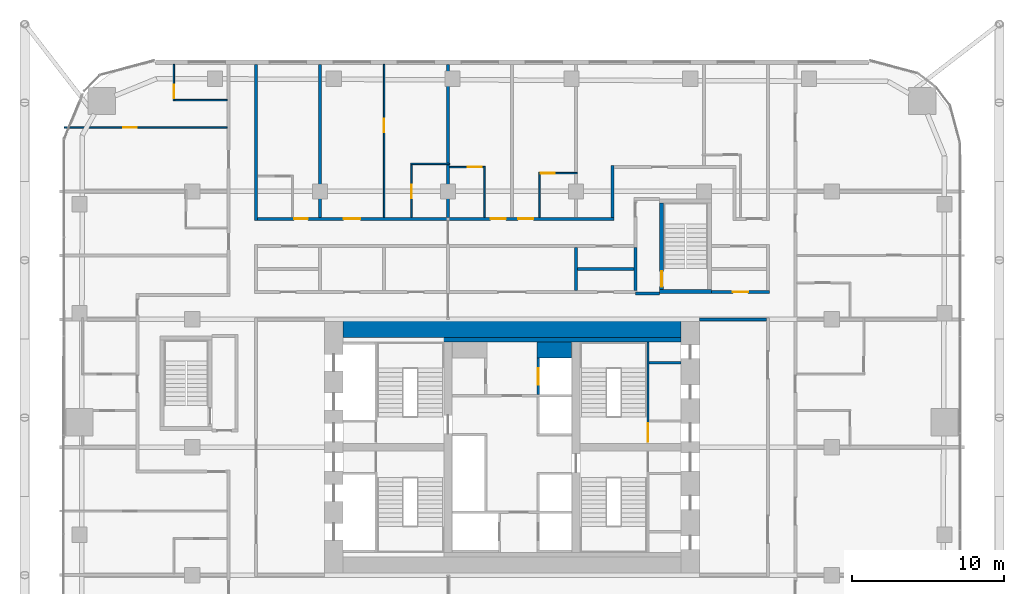
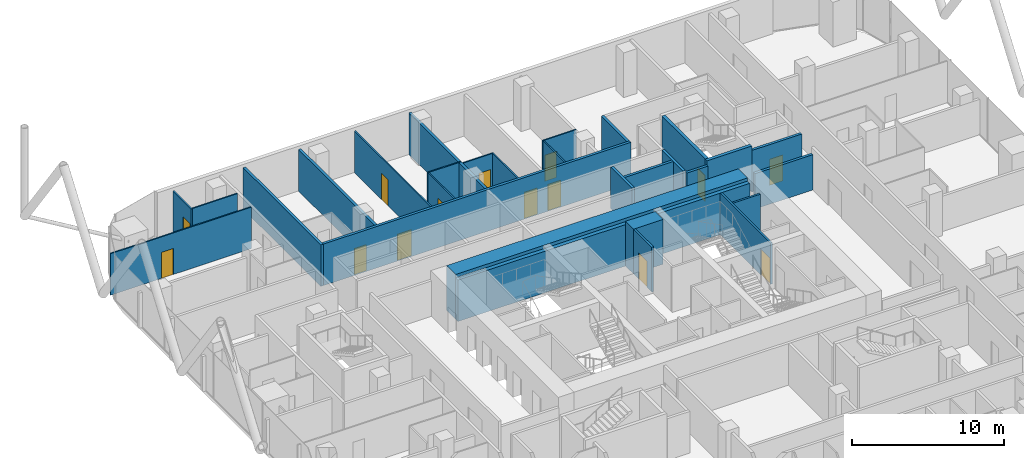
# One storey, part 30 of 34: 29 walls, 14 doors, 14 openings.
"""IFC4 building model written with IfcOpenShell, lengths in metres."""

from ifc_helpers import new_model, si_unit, direction, frame, frame_2d, origin, place, context, subcontext, project, spatial, rectangle, extrude, material, layer, layer_set, type_object, element, fill, save


model = new_model("IFC4")

# Units and contexts
model_context = context("Model", 3, precision=1e-05, world=origin(), true_north=direction((0.0, 1.0)))
body_context = subcontext(model_context, "Body", "Model", "MODEL_VIEW")
ifc_project = project(units=[si_unit("LENGTHUNIT", "METRE"), si_unit("AREAUNIT", "SQUARE_METRE"), si_unit("VOLUMEUNIT", "CUBIC_METRE"), si_unit("PLANEANGLEUNIT", "RADIAN"), si_unit("MASSUNIT", "GRAM", prefix="KILO")], contexts=[model_context])

# Site, building, storey
site_placement = place(None, origin())
site = spatial("IfcSite", under=ifc_project, at=site_placement, CompositionType="ELEMENT")
building_placement = place(site_placement, origin())
building = spatial("IfcBuilding", under=site, at=building_placement, Name="Marenta Gate Hotel Tower", CompositionType="ELEMENT")
storey_placement = place(building_placement, frame((0.0, 0.0, 76.10009765625)))
storey = spatial("IfcBuildingStorey", under=building, at=storey_placement, Name="L17", CompositionType="ELEMENT", Elevation=76.10009765625)

# Walls
ifc_material_1 = material(Name="Concrete blockwork", Category="masonry")
ifc_layer_1 = layer(ifc_material_1, 0.199951171875)
ifc_layer_set_1 = layer_set([ifc_layer_1], Name="Concrete blockwork")
wall_type_1 = type_object("IfcWallType", Name="Compartment wall 200 REI 180", PredefinedType="PARTITIONING", material=ifc_layer_set_1)
wall_1_placement = place(storey_placement, frame((-4.199951171875, 23.5, 0.0), z_axis=(0.0, 0.0, 1.0), x_axis=(0.0, 1.0, 0.0)))
element("IfcWall", 1, at=wall_1_placement, inside=storey, type_object=wall_type_1, Name="L17-PTN-W077", PredefinedType="PARTITIONING", context=body_context, shape_type="SweptSolid", body=[
    extrude(rectangle(XDim=10.0400390625, YDim=0.199951171875, at=frame_2d((5.02001953125, 0.0))), origin(), (0.0, 0.0, 1.0), 3.33984375),
])
ifc_material_2 = material(Name="Concrete blockwork", Category="masonry")
ifc_layer_2 = layer(ifc_material_2, 0.199951171875)
ifc_layer_set_2 = layer_set([ifc_layer_2], Name="Concrete blockwork")
wall_type_2 = type_object("IfcWallType", Name="Core boundary wall 200 REI 180", PredefinedType="PARTITIONING", material=ifc_layer_set_2)
wall_2_placement = place(storey_placement, frame((12.300048828125, 16.800048828125, 0.0), z_axis=(0.0, 0.0, 1.0), x_axis=(1.0, 0.0, 0.0)))
element("IfcWall", 2, at=wall_2_placement, inside=storey, type_object=wall_type_2, Name="L17-CP-EW-EN", PredefinedType="PARTITIONING", context=body_context, shape_type="SweptSolid", body=[
    extrude(rectangle(XDim=4.39990234375, YDim=0.199951171875, at=frame_2d((2.199951171875, 0.0))), origin(), (0.0, 0.0, 1.0), 2.83984375),
])
ifc_material_3 = material(Name="Concrete C40", Category="concrete")
ifc_layer_3 = layer(ifc_material_3, 0.300048828125)
ifc_layer_set_3 = layer_set([ifc_layer_3], Name="Concrete C40")
wall_type_3 = type_object("IfcWallType", Name="Core lining wall 300 REI 180", PredefinedType="PARTITIONING", material=ifc_layer_set_3)
wall_3_placement = place(storey_placement, frame((-11.10009765625, 15.449951171875, 0.0), z_axis=(0.0, 0.0, 1.0), x_axis=(1.0, 0.0, 0.0)))
element("IfcWall", 3, at=wall_3_placement, inside=storey, type_object=wall_type_3, Name="L17-CP-LN-N", PredefinedType="PARTITIONING", context=body_context, shape_type="SweptSolid", body=[
    extrude(rectangle(XDim=22.2001953125, YDim=0.300048828125, at=frame_2d((11.10009765625, 0.0))), origin(), (0.0, 0.0, 1.0), 3.33984375),
])
ifc_material_4 = material(Name="Concrete blockwork", Category="masonry")
ifc_layer_4 = layer(ifc_material_4, 0.14990234375)
ifc_layer_set_4 = layer_set([ifc_layer_4], Name="Concrete blockwork")
wall_type_4 = type_object("IfcWallType", Name="Core room partition 150 REI 180", PredefinedType="PARTITIONING", material=ifc_layer_set_4)
wall_4_placement = place(storey_placement, frame((9.0, 13.949951171875, 0.0), z_axis=(0.0, 0.0, 1.0), x_axis=(1.0, 0.0, 0.0)))
element("IfcWall", 4, at=wall_4_placement, inside=storey, type_object=wall_type_4, Name="L17-CP-RW-EN-1", PredefinedType="PARTITIONING", context=body_context, shape_type="SweptSolid", body=[
    extrude(rectangle(XDim=2.10009765625, YDim=0.14990234375, at=frame_2d((1.050048828125, 0.0))), origin(), (0.0, 0.0, 1.0), 3.33984375),
])
ifc_material_5 = material(Name="Concrete C40", Category="concrete")
ifc_layer_5 = layer(ifc_material_5, 1.050048828125)
ifc_layer_set_5 = layer_set([ifc_layer_5], Name="Concrete C40")
wall_type_5 = type_object("IfcWallType", Name="Core shaft wall 1050 REI 180", PredefinedType="SHEAR", material=ifc_layer_set_5)
wall_5_placement = place(storey_placement, frame((1.64990234375, 14.77490234375, 0.0), z_axis=(0.0, 0.0, 1.0), x_axis=(1.0, 0.0, 0.0)))
element("IfcWall", 5, at=wall_5_placement, inside=storey, type_object=wall_type_5, Name="L17-SHF-CE-N-top", PredefinedType="SHEAR", context=body_context, shape_type="SweptSolid", body=[
    extrude(rectangle(XDim=2.25, YDim=1.050048828125, at=frame_2d((1.125, 0.0))), origin(), (0.0, 0.0, 1.0), 3.599853515625),
])

# Wall, opening, door
ifc_material_6 = material(Name="Concrete C40", Category="concrete")
ifc_layer_6 = layer(ifc_material_6, 0.14990234375)
ifc_layer_set_6 = layer_set([ifc_layer_6], Name="Concrete C40")
wall_type_6 = type_object("IfcWallType", Name="Core shaft wall 150 REI 180", PredefinedType="SHEAR", material=ifc_layer_set_6)
wall_6_placement = place(storey_placement, frame((1.72509765625, 11.85009765625, 0.0), z_axis=(0.0, 0.0, 1.0), x_axis=(0.0, 1.0, 0.0)))
wall_6 = element("IfcWall", 6, at=wall_6_placement, inside=storey, type_object=wall_type_6, Name="L17-SHF-CE-N-front2", PredefinedType="SHEAR", context=body_context, shape_type="SweptSolid", body=[
    extrude(rectangle(XDim=2.39990234375, YDim=0.14990234375, at=frame_2d((1.199951171875, 0.0))), origin(), (0.0, 0.0, 1.0), 3.599853515625),
])
opening_1_placement = place(wall_6_placement, frame((0.64990234375, 0.0, 0.0)))
opening_1 = element("IfcOpeningElement", 7, at=opening_1_placement, cuts=wall_6, Name="Opening LD-FF2", PredefinedType="OPENING", context=body_context, shape_type="SweptSolid", body=[
    extrude(rectangle(XDim=1.10009765625, YDim=2.10009765625, at=frame_2d((0.550048828125, 1.050048828125))), frame((0.0, 0.074951171875, 0.0), z_axis=(0.0, -1.0, 0.0), x_axis=(1.0, 0.0, 0.0)), (0.0, 0.0, 1.0), 0.14990234375),
])
ifc_material_7 = material(Name="Steel", Category="steel")
door_type_1 = type_object("IfcDoorType", Name="Core lift landing door 1100x2100 E 60", OperationType="SLIDING_TO_LEFT", PredefinedType="DOOR", material=ifc_material_7)
door_1_placement = place(opening_1_placement, origin())
door_1 = element("IfcDoor", 8, at=door_1_placement, inside=storey, type_object=door_type_1, Name="LD-FF2", OperationType="SLIDING_TO_LEFT", OverallHeight=2.10009765625, OverallWidth=1.10009765625, PredefinedType="DOOR", context=body_context, shape_type="SweptSolid", body=[
    extrude(rectangle(XDim=1.10009765625, YDim=2.10009765625, at=frame_2d((0.550048828125, 1.050048828125))), frame((0.0, 0.02490234375, 0.0), z_axis=(0.0, -1.0, 0.0), x_axis=(1.0, 0.0, 0.0)), (0.0, 0.0, 1.0), 0.050048828125),
])
fill(opening_1, door_1)

ifc_material_8 = material(Name="Concrete C40", Category="concrete")
ifc_layer_7 = layer(ifc_material_8, 0.14990234375)
ifc_layer_set_7 = layer_set([ifc_layer_7], Name="Concrete C40")
wall_type_7 = type_object("IfcWallType", Name="Core stair enclosure wall 150 REI 180", PredefinedType="SHEAR", material=ifc_layer_set_7)
wall_7_placement = place(storey_placement, frame((8.925048828125, 8.699951171875, 0.0), z_axis=(0.0, 0.0, 1.0), x_axis=(0.0, 1.0, 0.0)))
wall_7 = element("IfcWall", 9, at=wall_7_placement, inside=storey, type_object=wall_type_7, Name="L17-SHF-SW-EN-3", PredefinedType="SHEAR", context=body_context, shape_type="SweptSolid", body=[
    extrude(rectangle(XDim=6.60009765625, YDim=0.14990234375, at=frame_2d((3.300048828125, 0.0))), origin(), (0.0, 0.0, 1.0), 3.33984375),
])
opening_2_placement = place(wall_7_placement, frame((0.074951171875, 0.0, 0.0)))
opening_2 = element("IfcOpeningElement", 10, at=opening_2_placement, cuts=wall_7, Name="Opening SD-EN", PredefinedType="OPENING", context=body_context, shape_type="SweptSolid", body=[
    extrude(rectangle(XDim=1.199951171875, YDim=2.10009765625, at=frame_2d((0.60009765625, 1.050048828125))), frame((0.0, 0.074951171875, 0.0), z_axis=(0.0, -1.0, 0.0), x_axis=(1.0, 0.0, 0.0)), (0.0, 0.0, 1.0), 0.14990234375),
])
ifc_material_9 = material(Name="Steel", Category="steel")
door_type_2 = type_object("IfcDoorType", Name="Core stair door 1200x2100 FD60", OperationType="SINGLE_SWING_LEFT", PredefinedType="DOOR", material=ifc_material_9)
door_2_placement = place(opening_2_placement, origin())
door_2 = element("IfcDoor", 11, at=door_2_placement, inside=storey, type_object=door_type_2, Name="SD-EN", OperationType="SINGLE_SWING_LEFT", OverallHeight=2.10009765625, OverallWidth=1.199951171875, PredefinedType="DOOR", context=body_context, shape_type="SweptSolid", body=[
    extrude(rectangle(XDim=1.199951171875, YDim=2.10009765625, at=frame_2d((0.60009765625, 1.050048828125))), frame((0.0, 0.02490234375, 0.0), z_axis=(0.0, -1.0, 0.0), x_axis=(1.0, 0.0, 0.0)), (0.0, 0.0, 1.0), 0.050048828125),
])
fill(opening_2, door_2)

# Walls
ifc_material_10 = material(Name="Concrete C80", Category="concrete")
ifc_layer_8 = layer(ifc_material_10, 1.199951171875)
ifc_layer_set_8 = layer_set([ifc_layer_8], Name="Concrete C80")
wall_type_8 = type_object("IfcWallType", Name="Core wall 1200 C80", PredefinedType="SHEAR", material=ifc_layer_set_8)
wall_8_placement = place(storey_placement, frame((-11.10009765625, 16.199951171875, 0.0), z_axis=(0.0, 0.0, 1.0), x_axis=(1.0, 0.0, 0.0)))
element("IfcWall", 12, at=wall_8_placement, inside=storey, type_object=wall_type_8, Name="L17-CORE-N", PredefinedType="SHEAR", context=body_context, shape_type="SweptSolid", body=[
    extrude(rectangle(XDim=22.2001953125, YDim=1.199951171875, at=frame_2d((11.10009765625, 0.0))), origin(), (0.0, 0.0, 1.0), 3.599853515625),
])
ifc_material_11 = material(Name="Concrete C40", Category="concrete")
ifc_layer_9 = layer(ifc_material_11, 0.25)
ifc_layer_set_9 = layer_set([ifc_layer_9], Name="Concrete C40")
wall_type_9 = type_object("IfcWallType", Name="Remote stair enclosure wall 250 REI 180", PredefinedType="SHEAR", material=ifc_layer_set_9)
wall_9_placement = place(storey_placement, frame((9.699951171875, 18.625, 0.099853515625), z_axis=(0.0, 0.0, 1.0), x_axis=(1.0, 0.0, 0.0)))
element("IfcWall", 13, at=wall_9_placement, inside=storey, type_object=wall_type_9, Name="L17-RS-Z1-4-W1", PredefinedType="SHEAR", context=body_context, shape_type="SweptSolid", body=[
    extrude(rectangle(XDim=3.400146484375, YDim=0.25, at=frame_2d((1.7001953125, 0.0))), origin(), (0.0, 0.0, 1.0), 3.60009765625),
])

# Wall, opening, door
wall_10_placement = place(storey_placement, frame((9.824951171875, 18.75, 0.099853515625), z_axis=(0.0, 0.0, 1.0), x_axis=(0.0, 1.0, 0.0)))
wall_10 = element("IfcWall", 14, at=wall_10_placement, inside=storey, type_object=wall_type_9, Name="L17-RS-Z1-4-W3", PredefinedType="SHEAR", context=body_context, shape_type="SweptSolid", body=[
    extrude(rectangle(XDim=5.699951171875, YDim=0.25, at=frame_2d((2.85009765625, 0.0))), origin(), (0.0, 0.0, 1.0), 3.60009765625),
])
opening_3_placement = place(wall_10_placement, frame((0.199951171875, 0.0, 0.0)))
opening_3 = element("IfcOpeningElement", 15, at=opening_3_placement, cuts=wall_10, Name="Opening VD", PredefinedType="OPENING", context=body_context, shape_type="SweptSolid", body=[
    extrude(rectangle(XDim=1.0, YDim=2.10009765625, at=frame_2d((0.5, 1.050048828125))), frame((0.0, 0.125, 0.0), z_axis=(0.0, -1.0, 0.0), x_axis=(1.0, 0.0, 0.0)), (0.0, 0.0, 1.0), 0.25),
])
ifc_material_12 = material(Name="Steel", Category="steel")
door_type_3 = type_object("IfcDoorType", Name="Stair vestibule door 1000x2100 FD60", OperationType="SINGLE_SWING_LEFT", PredefinedType="DOOR", material=ifc_material_12)
door_3_placement = place(opening_3_placement, origin())
door_3 = element("IfcDoor", 16, at=door_3_placement, inside=storey, type_object=door_type_3, Name="VD", OperationType="SINGLE_SWING_LEFT", OverallHeight=2.10009765625, OverallWidth=1.0, PredefinedType="DOOR", context=body_context, shape_type="SweptSolid", body=[
    extrude(rectangle(XDim=1.0, YDim=2.10009765625, at=frame_2d((0.5, 1.050048828125))), frame((0.0, 0.02490234375, 0.0), z_axis=(0.0, -1.0, 0.0), x_axis=(1.0, 0.0, 0.0)), (0.0, 0.0, 1.0), 0.050048828125),
])
fill(opening_3, door_3)

# Wall
ifc_material_13 = material(Name="Concrete blockwork", Category="masonry")
ifc_layer_10 = layer(ifc_material_13, 0.199951171875)
ifc_layer_set_10 = layer_set([ifc_layer_10], Name="Concrete blockwork")
wall_type_10 = type_object("IfcWallType", Name="Room corridor wall 200 EI 120", PredefinedType="PARTITIONING", material=ifc_layer_set_10)
wall_11_placement = place(storey_placement, frame((6.60009765625, 23.5, 0.0), z_axis=(0.0, 0.0, 1.0), x_axis=(0.0, 1.0, 0.0)))
element("IfcWall", 17, at=wall_11_placement, inside=storey, type_object=wall_type_10, Name="L17-PTN-W047", PredefinedType="PARTITIONING", context=body_context, shape_type="SweptSolid", body=[
    extrude(rectangle(XDim=3.39990234375, YDim=0.199951171875, at=frame_2d((1.699951171875, 0.0))), origin(), (0.0, 0.0, 1.0), 3.33984375),
])

# Wall, openings, doors
wall_12_placement = place(storey_placement, frame((-16.699951171875, 23.39990234375, 0.0), z_axis=(0.0, 0.0, 1.0), x_axis=(1.0, 0.0, 0.0)))
wall_12 = element("IfcWall", 18, at=wall_12_placement, inside=storey, type_object=wall_type_10, Name="L17-PTN-W132", PredefinedType="PARTITIONING", context=body_context, shape_type="SweptSolid", body=[
    extrude(rectangle(XDim=23.39990234375, YDim=0.199951171875, at=frame_2d((11.699951171875, 0.0))), origin(), (0.0, 0.0, 1.0), 3.33984375),
])
opening_4_placement = place(wall_12_placement, frame((2.39990234375, 0.0, 0.0)))
opening_4 = element("IfcOpeningElement", 19, at=opening_4_placement, cuts=wall_12, Name="Opening G06-21", PredefinedType="OPENING", context=body_context, shape_type="SweptSolid", body=[
    extrude(rectangle(XDim=0.89990234375, YDim=2.10009765625, at=frame_2d((0.449951171875, 1.050048828125))), frame((0.0, 0.10009765625, 0.0), z_axis=(0.0, -1.0, 0.0), x_axis=(1.0, 0.0, 0.0)), (0.0, 0.0, 1.0), 0.199951171875),
])
opening_5_placement = place(wall_12_placement, frame((5.64990234375, 0.0, 0.0)))
opening_5 = element("IfcOpeningElement", 20, at=opening_5_placement, cuts=wall_12, Name="Opening G06-23", PredefinedType="OPENING", context=body_context, shape_type="SweptSolid", body=[
    extrude(rectangle(XDim=1.10009765625, YDim=2.10009765625, at=frame_2d((0.550048828125, 1.050048828125))), frame((0.0, 0.10009765625, 0.0), z_axis=(0.0, -1.0, 0.0), x_axis=(1.0, 0.0, 0.0)), (0.0, 0.0, 1.0), 0.199951171875),
])
opening_6_placement = place(wall_12_placement, frame((15.300048828125, 0.0, 0.0)))
opening_6 = element("IfcOpeningElement", 21, at=opening_6_placement, cuts=wall_12, Name="Opening G06-26", PredefinedType="OPENING", context=body_context, shape_type="SweptSolid", body=[
    extrude(rectangle(XDim=1.0, YDim=2.10009765625, at=frame_2d((0.5, 1.050048828125))), frame((0.0, 0.10009765625, 0.0), z_axis=(0.0, -1.0, 0.0), x_axis=(1.0, 0.0, 0.0)), (0.0, 0.0, 1.0), 0.199951171875),
])
opening_7_placement = place(wall_12_placement, frame((17.10009765625, 0.0, 0.0)))
opening_7 = element("IfcOpeningElement", 22, at=opening_7_placement, cuts=wall_12, Name="Opening G06-28", PredefinedType="OPENING", context=body_context, shape_type="SweptSolid", body=[
    extrude(rectangle(XDim=1.0, YDim=2.10009765625, at=frame_2d((0.5, 1.050048828125))), frame((0.0, 0.10009765625, 0.0), z_axis=(0.0, -1.0, 0.0), x_axis=(1.0, 0.0, 0.0)), (0.0, 0.0, 1.0), 0.199951171875),
])
ifc_material_14 = material(Name="Timber door leaf", Category="wood")
door_type_4 = type_object("IfcDoorType", Name="Guest room door 1000x2100 EI 60", OperationType="NOTDEFINED", PredefinedType="DOOR", material=ifc_material_14)
door_4_placement = place(opening_6_placement, origin())
door_4 = element("IfcDoor", 23, at=door_4_placement, inside=storey, type_object=door_type_4, Name="L17-PD-D026", OperationType="SINGLE_SWING_LEFT", OverallHeight=2.10009765625, OverallWidth=1.0, PredefinedType="DOOR", context=body_context, shape_type="SweptSolid", body=[
    extrude(rectangle(XDim=1.0, YDim=2.10009765625, at=frame_2d((0.5, 1.050048828125))), frame((0.0, 0.02490234375, 0.0), z_axis=(0.0, -1.0, 0.0), x_axis=(1.0, 0.0, 0.0)), (0.0, 0.0, 1.0), 0.050048828125),
])
fill(opening_6, door_4)
door_5_placement = place(opening_7_placement, origin())
door_5 = element("IfcDoor", 24, at=door_5_placement, inside=storey, type_object=door_type_4, Name="L17-PD-D028", OperationType="SINGLE_SWING_LEFT", OverallHeight=2.10009765625, OverallWidth=1.0, PredefinedType="DOOR", context=body_context, shape_type="SweptSolid", body=[
    extrude(rectangle(XDim=1.0, YDim=2.10009765625, at=frame_2d((0.5, 1.050048828125))), frame((0.0, 0.02490234375, 0.0), z_axis=(0.0, -1.0, 0.0), x_axis=(1.0, 0.0, 0.0)), (0.0, 0.0, 1.0), 0.050048828125),
])
fill(opening_7, door_5)
ifc_material_15 = material(Name="Timber door leaf", Category="wood")
door_type_5 = type_object("IfcDoorType", Name="Guest room door 1100x2100 EI 60", OperationType="NOTDEFINED", PredefinedType="DOOR", material=ifc_material_15)
door_6_placement = place(opening_5_placement, origin())
door_6 = element("IfcDoor", 25, at=door_6_placement, inside=storey, type_object=door_type_5, Name="L17-PD-D023", OperationType="SINGLE_SWING_RIGHT", OverallHeight=2.10009765625, OverallWidth=1.10009765625, PredefinedType="DOOR", context=body_context, shape_type="SweptSolid", body=[
    extrude(rectangle(XDim=1.10009765625, YDim=2.10009765625, at=frame_2d((0.550048828125, 1.050048828125))), frame((0.0, 0.02490234375, 0.0), z_axis=(0.0, -1.0, 0.0), x_axis=(1.0, 0.0, 0.0)), (0.0, 0.0, 1.0), 0.050048828125),
])
fill(opening_5, door_6)
ifc_material_16 = material(Name="Timber door leaf", Category="wood")
door_type_6 = type_object("IfcDoorType", Name="Guest room door 900x2100 EI 60", OperationType="NOTDEFINED", PredefinedType="DOOR", material=ifc_material_16)
door_7_placement = place(opening_4_placement, origin())
door_7 = element("IfcDoor", 26, at=door_7_placement, inside=storey, type_object=door_type_6, Name="L17-PD-D021", OperationType="SINGLE_SWING_LEFT", OverallHeight=2.10009765625, OverallWidth=0.89990234375, PredefinedType="DOOR", context=body_context, shape_type="SweptSolid", body=[
    extrude(rectangle(XDim=0.89990234375, YDim=2.10009765625, at=frame_2d((0.449951171875, 1.050048828125))), frame((0.0, 0.02490234375, 0.0), z_axis=(0.0, -1.0, 0.0), x_axis=(1.0, 0.0, 0.0)), (0.0, 0.0, 1.0), 0.050048828125),
])
fill(opening_4, door_7)

# Wall
ifc_material_17 = material(Name="Gypsum board on steel stud", Category="steel")
ifc_layer_11 = layer(ifc_material_17, 0.199951171875)
ifc_layer_set_11 = layer_set([ifc_layer_11], Name="Gypsum board on steel stud")
wall_type_11 = type_object("IfcWallType", Name="Room corridor wall 200 EI 60", PredefinedType="PARTITIONING", material=ifc_layer_set_11)
wall_13_placement = place(storey_placement, frame((-16.800048828125, 23.300048828125, 0.0), z_axis=(0.0, 0.0, 1.0), x_axis=(0.0, 1.0, 0.0)))
element("IfcWall", 27, at=wall_13_placement, inside=storey, type_object=wall_type_11, Name="L17-PTN-W106", PredefinedType="PARTITIONING", context=body_context, shape_type="SweptSolid", body=[
    extrude(rectangle(XDim=10.239990234375, YDim=0.199951171875, at=frame_2d((5.1201171875, 0.0))), origin(), (0.0, 0.0, 1.0), 3.33984375),
])

# Wall, opening, door
wall_14_placement = place(storey_placement, frame((13.10009765625, 18.60009765625, 0.0), z_axis=(0.0, 0.0, 1.0), x_axis=(1.0, 0.0, 0.0)))
wall_14 = element("IfcWall", 28, at=wall_14_placement, inside=storey, type_object=wall_type_11, Name="L17-PTN-W115", PredefinedType="PARTITIONING", context=body_context, shape_type="SweptSolid", body=[
    extrude(rectangle(XDim=3.7998046875, YDim=0.199951171875, at=frame_2d((1.89990234375, 0.0))), origin(), (0.0, 0.0, 1.0), 3.33984375),
])
opening_8_placement = place(wall_14_placement, frame((1.39990234375, 0.0, 0.0)))
opening_8 = element("IfcOpeningElement", 29, at=opening_8_placement, cuts=wall_14, Name="Opening G06-74", PredefinedType="OPENING", context=body_context, shape_type="SweptSolid", body=[
    extrude(rectangle(XDim=1.0, YDim=2.10009765625, at=frame_2d((0.5, 1.050048828125))), frame((0.0, 0.10009765625, 0.0), z_axis=(0.0, -1.0, 0.0), x_axis=(1.0, 0.0, 0.0)), (0.0, 0.0, 1.0), 0.199951171875),
])
ifc_material_18 = material(Name="Timber door leaf", Category="wood")
door_type_7 = type_object("IfcDoorType", Name="Room amenity door 1000x2100 EI 30", OperationType="NOTDEFINED", PredefinedType="DOOR", material=ifc_material_18)
door_8_placement = place(opening_8_placement, origin())
door_8 = element("IfcDoor", 30, at=door_8_placement, inside=storey, type_object=door_type_7, Name="L17-PD-D074", OperationType="SINGLE_SWING_LEFT", OverallHeight=2.10009765625, OverallWidth=1.0, PredefinedType="DOOR", context=body_context, shape_type="SweptSolid", body=[
    extrude(rectangle(XDim=1.0, YDim=2.10009765625, at=frame_2d((0.5, 1.050048828125))), frame((0.0, 0.02490234375, 0.0), z_axis=(0.0, -1.0, 0.0), x_axis=(1.0, 0.0, 0.0)), (0.0, 0.0, 1.0), 0.050048828125),
])
fill(opening_8, door_8)

# Walls
ifc_material_19 = material(Name="Concrete blockwork", Category="masonry")
ifc_layer_12 = layer(ifc_material_19, 0.199951171875)
ifc_layer_set_12 = layer_set([ifc_layer_12], Name="Concrete blockwork")
wall_type_12 = type_object("IfcWallType", Name="Room corridor wall 200 REI 180", PredefinedType="PARTITIONING", material=ifc_layer_set_12)
wall_15_placement = place(storey_placement, frame((8.10009765625, 18.5, 0.0), z_axis=(0.0, 0.0, 1.0), x_axis=(1.0, 0.0, 0.0)))
element("IfcWall", 31, at=wall_15_placement, inside=storey, type_object=wall_type_12, Name="L17-PTN-W111", PredefinedType="PARTITIONING", context=body_context, shape_type="SweptSolid", body=[
    extrude(rectangle(XDim=1.599853515625, YDim=0.199951171875, at=frame_2d((0.7998046875, 0.0))), origin(), (0.0, 0.0, 1.0), 3.33984375),
])
ifc_material_20 = material(Name="Gypsum board on steel stud", Category="steel")
ifc_layer_13 = layer(ifc_material_20, 0.10009765625)
ifc_layer_set_13 = layer_set([ifc_layer_13], Name="Gypsum board on steel stud")
wall_type_13 = type_object("IfcWallType", Name="Room partition 100", PredefinedType="PARTITIONING", material=ifc_layer_set_13)
wall_16_placement = place(storey_placement, frame((1.800048828125, 23.5, 0.0), z_axis=(0.0, 0.0, 1.0), x_axis=(0.0, 1.0, 0.0)))
element("IfcWall", 32, at=wall_16_placement, inside=storey, type_object=wall_type_13, Name="L17-PTN-W062", PredefinedType="PARTITIONING", context=body_context, shape_type="SweptSolid", body=[
    extrude(rectangle(XDim=2.85009765625, YDim=0.10009765625, at=frame_2d((1.425048828125, 0.0))), origin(), (0.0, 0.0, 1.0), 3.33984375),
])
wall_17_placement = place(storey_placement, frame((-1.800048828125, 23.5, 0.0), z_axis=(0.0, 0.0, 1.0), x_axis=(0.0, 1.0, 0.0)))
element("IfcWall", 33, at=wall_17_placement, inside=storey, type_object=wall_type_13, Name="L17-PTN-W073", PredefinedType="PARTITIONING", context=body_context, shape_type="SweptSolid", body=[
    extrude(rectangle(XDim=3.35009765625, YDim=0.10009765625, at=frame_2d((1.675048828125, 0.0))), origin(), (0.0, 0.0, 1.0), 3.33984375),
])

# Wall, opening, door
wall_18_placement = place(storey_placement, frame((-6.60009765625, 23.5, 0.0), z_axis=(0.0, 0.0, 1.0), x_axis=(0.0, 1.0, 0.0)))
wall_18 = element("IfcWall", 34, at=wall_18_placement, inside=storey, type_object=wall_type_13, Name="L17-PTN-W082", PredefinedType="PARTITIONING", context=body_context, shape_type="SweptSolid", body=[
    extrude(rectangle(XDim=3.449951171875, YDim=0.10009765625, at=frame_2d((1.72509765625, 0.0))), origin(), (0.0, 0.0, 1.0), 3.33984375),
])
opening_9_placement = place(wall_18_placement, frame((1.25, 0.0, 0.0)))
opening_9 = element("IfcOpeningElement", 35, at=opening_9_placement, cuts=wall_18, Name="Opening G06-25", PredefinedType="OPENING", context=body_context, shape_type="SweptSolid", body=[
    extrude(rectangle(XDim=0.89990234375, YDim=2.10009765625, at=frame_2d((0.449951171875, 1.050048828125))), frame((0.0, 0.050048828125, 0.0), z_axis=(0.0, -1.0, 0.0), x_axis=(1.0, 0.0, 0.0)), (0.0, 0.0, 1.0), 0.10009765625),
])
ifc_material_21 = material(Name="Timber door leaf", Category="wood")
door_type_8 = type_object("IfcDoorType", Name="Guest bathroom door 900x2100", OperationType="NOTDEFINED", PredefinedType="DOOR", material=ifc_material_21)
door_9_placement = place(opening_9_placement, origin())
door_9 = element("IfcDoor", 36, at=door_9_placement, inside=storey, type_object=door_type_8, Name="L17-PD-D025", OperationType="SINGLE_SWING_RIGHT", OverallHeight=2.10009765625, OverallWidth=0.89990234375, PredefinedType="DOOR", context=body_context, shape_type="SweptSolid", body=[
    extrude(rectangle(XDim=0.89990234375, YDim=2.10009765625, at=frame_2d((0.449951171875, 1.050048828125))), frame((0.0, 0.02490234375, 0.0), z_axis=(0.0, -1.0, 0.0), x_axis=(1.0, 0.0, 0.0)), (0.0, 0.0, 1.0), 0.050048828125),
])
fill(opening_9, door_9)

wall_19_placement = place(storey_placement, frame((-8.39990234375, 23.5, 0.0), z_axis=(0.0, 0.0, 1.0), x_axis=(0.0, 1.0, 0.0)))
wall_19 = element("IfcWall", 37, at=wall_19_placement, inside=storey, type_object=wall_type_13, Name="L17-PTN-W085", PredefinedType="PARTITIONING", context=body_context, shape_type="SweptSolid", body=[
    extrude(rectangle(XDim=10.0400390625, YDim=0.10009765625, at=frame_2d((5.02001953125, 0.0))), origin(), (0.0, 0.0, 1.0), 3.33984375),
])
opening_10_placement = place(wall_19_placement, frame((5.570068359375, 0.0, 0.0)))
opening_10 = element("IfcOpeningElement", 38, at=opening_10_placement, cuts=wall_19, Name="Opening G06-24", PredefinedType="OPENING", context=body_context, shape_type="SweptSolid", body=[
    extrude(rectangle(XDim=0.89990234375, YDim=2.10009765625, at=frame_2d((0.449951171875, 1.050048828125))), frame((0.0, 0.050048828125, 0.0), z_axis=(0.0, -1.0, 0.0), x_axis=(1.0, 0.0, 0.0)), (0.0, 0.0, 1.0), 0.10009765625),
])
ifc_material_22 = material(Name="Timber door leaf", Category="wood")
door_type_9 = type_object("IfcDoorType", Name="Room inner door 900x2100", OperationType="NOTDEFINED", PredefinedType="DOOR", material=ifc_material_22)
door_10_placement = place(opening_10_placement, origin())
door_10 = element("IfcDoor", 39, at=door_10_placement, inside=storey, type_object=door_type_9, Name="L17-PD-D024", OperationType="SINGLE_SWING_RIGHT", OverallHeight=2.10009765625, OverallWidth=0.89990234375, PredefinedType="DOOR", context=body_context, shape_type="SweptSolid", body=[
    extrude(rectangle(XDim=0.89990234375, YDim=2.10009765625, at=frame_2d((0.449951171875, 1.050048828125))), frame((0.0, 0.02490234375, 0.0), z_axis=(0.0, -1.0, 0.0), x_axis=(1.0, 0.0, 0.0)), (0.0, 0.0, 1.0), 0.050048828125),
])
fill(opening_10, door_10)

wall_20_placement = place(storey_placement, frame((-22.199951171875, 31.14990234375, 0.0), z_axis=(0.0, 0.0, 1.0), x_axis=(0.0, 1.0, 0.0)))
wall_20 = element("IfcWall", 40, at=wall_20_placement, inside=storey, type_object=wall_type_13, Name="L17-PTN-W128", PredefinedType="PARTITIONING", context=body_context, shape_type="SweptSolid", body=[
    extrude(rectangle(XDim=2.39013671875, YDim=0.10009765625, at=frame_2d((1.195068359375, 0.0))), origin(), (0.0, 0.0, 1.0), 3.33984375),
])
opening_11_placement = place(wall_20_placement, frame((0.14990234375, 0.0, 0.0)))
opening_11 = element("IfcOpeningElement", 41, at=opening_11_placement, cuts=wall_20, Name="Opening G06-60", PredefinedType="OPENING", context=body_context, shape_type="SweptSolid", body=[
    extrude(rectangle(XDim=0.89990234375, YDim=2.10009765625, at=frame_2d((0.449951171875, 1.050048828125))), frame((0.0, 0.050048828125, 0.0), z_axis=(0.0, -1.0, 0.0), x_axis=(1.0, 0.0, 0.0)), (0.0, 0.0, 1.0), 0.10009765625),
])
door_11_placement = place(opening_11_placement, origin())
door_11 = element("IfcDoor", 42, at=door_11_placement, inside=storey, type_object=door_type_8, Name="L17-PD-D060", OperationType="SINGLE_SWING_RIGHT", OverallHeight=2.10009765625, OverallWidth=0.89990234375, PredefinedType="DOOR", context=body_context, shape_type="SweptSolid", body=[
    extrude(rectangle(XDim=0.89990234375, YDim=2.10009765625, at=frame_2d((0.449951171875, 1.050048828125))), frame((0.0, 0.02490234375, 0.0), z_axis=(0.0, -1.0, 0.0), x_axis=(1.0, 0.0, 0.0)), (0.0, 0.0, 1.0), 0.050048828125),
])
fill(opening_11, door_11)

wall_21_placement = place(storey_placement, frame((1.75, 26.39990234375, 0.0), z_axis=(0.0, 0.0, 1.0), x_axis=(1.0, 0.0, 0.0)))
wall_21 = element("IfcWall", 43, at=wall_21_placement, inside=storey, type_object=wall_type_13, Name="L17-PTN-W139", PredefinedType="PARTITIONING", context=body_context, shape_type="SweptSolid", body=[
    extrude(rectangle(XDim=2.550048828125, YDim=0.10009765625, at=frame_2d((1.27490234375, 0.0))), origin(), (0.0, 0.0, 1.0), 3.33984375),
])
opening_12_placement = place(wall_21_placement, frame((0.14990234375, 0.0, 0.0)))
opening_12 = element("IfcOpeningElement", 44, at=opening_12_placement, cuts=wall_21, Name="Opening G06-29", PredefinedType="OPENING", context=body_context, shape_type="SweptSolid", body=[
    extrude(rectangle(XDim=0.89990234375, YDim=2.10009765625, at=frame_2d((0.449951171875, 1.050048828125))), frame((0.0, 0.050048828125, 0.0), z_axis=(0.0, -1.0, 0.0), x_axis=(1.0, 0.0, 0.0)), (0.0, 0.0, 1.0), 0.10009765625),
])
door_12_placement = place(opening_12_placement, origin())
door_12 = element("IfcDoor", 45, at=door_12_placement, inside=storey, type_object=door_type_8, Name="L17-PD-D029", OperationType="SINGLE_SWING_RIGHT", OverallHeight=2.10009765625, OverallWidth=0.89990234375, PredefinedType="DOOR", context=body_context, shape_type="SweptSolid", body=[
    extrude(rectangle(XDim=0.89990234375, YDim=2.10009765625, at=frame_2d((0.449951171875, 1.050048828125))), frame((0.0, 0.02490234375, 0.0), z_axis=(0.0, -1.0, 0.0), x_axis=(1.0, 0.0, 0.0)), (0.0, 0.0, 1.0), 0.050048828125),
])
fill(opening_12, door_12)

wall_22_placement = place(storey_placement, frame((-4.10009765625, 26.800048828125, 0.0), z_axis=(0.0, 0.0, 1.0), x_axis=(1.0, 0.0, 0.0)))
wall_22 = element("IfcWall", 46, at=wall_22_placement, inside=storey, type_object=wall_type_13, Name="L17-PTN-W140", PredefinedType="PARTITIONING", context=body_context, shape_type="SweptSolid", body=[
    extrude(rectangle(XDim=2.25, YDim=0.10009765625, at=frame_2d((1.125, 0.0))), origin(), (0.0, 0.0, 1.0), 3.33984375),
])
opening_13_placement = place(wall_22_placement, frame((1.199951171875, 0.0, 0.0)))
opening_13 = element("IfcOpeningElement", 47, at=opening_13_placement, cuts=wall_22, Name="Opening G06-27", PredefinedType="OPENING", context=body_context, shape_type="SweptSolid", body=[
    extrude(rectangle(XDim=0.89990234375, YDim=2.10009765625, at=frame_2d((0.449951171875, 1.050048828125))), frame((0.0, 0.050048828125, 0.0), z_axis=(0.0, -1.0, 0.0), x_axis=(1.0, 0.0, 0.0)), (0.0, 0.0, 1.0), 0.10009765625),
])
door_13_placement = place(opening_13_placement, origin())
door_13 = element("IfcDoor", 48, at=door_13_placement, inside=storey, type_object=door_type_8, Name="L17-PD-D027", OperationType="SINGLE_SWING_LEFT", OverallHeight=2.10009765625, OverallWidth=0.89990234375, PredefinedType="DOOR", context=body_context, shape_type="SweptSolid", body=[
    extrude(rectangle(XDim=0.89990234375, YDim=2.10009765625, at=frame_2d((0.449951171875, 1.050048828125))), frame((0.0, 0.02490234375, 0.0), z_axis=(0.0, -1.0, 0.0), x_axis=(1.0, 0.0, 0.0)), (0.0, 0.0, 1.0), 0.050048828125),
])
fill(opening_13, door_13)

# Wall
wall_23_placement = place(storey_placement, frame((-6.64990234375, 27.0, 0.0), z_axis=(0.0, 0.0, 1.0), x_axis=(1.0, 0.0, 0.0)))
element("IfcWall", 49, at=wall_23_placement, inside=storey, type_object=wall_type_13, Name="L17-PTN-W142", PredefinedType="PARTITIONING", context=body_context, shape_type="SweptSolid", body=[
    extrude(rectangle(XDim=2.5498046875, YDim=0.10009765625, at=frame_2d((1.27490234375, 0.0))), origin(), (0.0, 0.0, 1.0), 3.33984375),
])

# Wall, opening, door
wall_24_placement = place(storey_placement, frame((-29.39306640625, 29.39990234375, 0.0), z_axis=(0.0, 0.0, 1.0), x_axis=(1.0, 0.0, 0.0)))
wall_24 = element("IfcWall", 50, at=wall_24_placement, inside=storey, type_object=wall_type_13, Name="L17-PTN-W146", PredefinedType="PARTITIONING", context=body_context, shape_type="SweptSolid", body=[
    extrude(rectangle(XDim=10.693115234375, YDim=0.10009765625, at=frame_2d((5.3466796875, 0.0))), origin(), (0.0, 0.0, 1.0), 3.33984375),
])
opening_14_placement = place(wall_24_placement, frame((3.863037109375, 0.0, 0.0)))
opening_14 = element("IfcOpeningElement", 51, at=opening_14_placement, cuts=wall_24, Name="Opening G06-59", PredefinedType="OPENING", context=body_context, shape_type="SweptSolid", body=[
    extrude(rectangle(XDim=0.89990234375, YDim=2.10009765625, at=frame_2d((0.449951171875, 1.050048828125))), frame((0.0, 0.050048828125, 0.0), z_axis=(0.0, -1.0, 0.0), x_axis=(1.0, 0.0, 0.0)), (0.0, 0.0, 1.0), 0.10009765625),
])
door_14_placement = place(opening_14_placement, origin())
door_14 = element("IfcDoor", 52, at=door_14_placement, inside=storey, type_object=door_type_9, Name="L17-PD-D059", OperationType="SINGLE_SWING_LEFT", OverallHeight=2.10009765625, OverallWidth=0.89990234375, PredefinedType="DOOR", context=body_context, shape_type="SweptSolid", body=[
    extrude(rectangle(XDim=0.89990234375, YDim=2.10009765625, at=frame_2d((0.449951171875, 1.050048828125))), frame((0.0, 0.02490234375, 0.0), z_axis=(0.0, -1.0, 0.0), x_axis=(1.0, 0.0, 0.0)), (0.0, 0.0, 1.0), 0.050048828125),
])
fill(opening_14, door_14)

# Walls
wall_25_placement = place(storey_placement, frame((-22.14990234375, 31.199951171875, 0.0), z_axis=(0.0, 0.0, 1.0), x_axis=(1.0, 0.0, 0.0)))
element("IfcWall", 53, at=wall_25_placement, inside=storey, type_object=wall_type_13, Name="L17-PTN-W147", PredefinedType="PARTITIONING", context=body_context, shape_type="SweptSolid", body=[
    extrude(rectangle(XDim=3.449951171875, YDim=0.10009765625, at=frame_2d((1.72509765625, 0.0))), origin(), (0.0, 0.0, 1.0), 3.33984375),
])
ifc_material_23 = material(Name="Gypsum board on steel stud", Category="steel")
ifc_layer_14 = layer(ifc_material_23, 0.199951171875)
ifc_layer_set_14 = layer_set([ifc_layer_14], Name="Gypsum board on steel stud")
wall_type_14 = type_object("IfcWallType", Name="Room party wall 200 EI 60", PredefinedType="PARTITIONING", material=ifc_layer_set_14)
wall_26_placement = place(storey_placement, frame((4.199951171875, 18.699951171875, 0.0), z_axis=(0.0, 0.0, 1.0), x_axis=(0.0, 1.0, 0.0)))
element("IfcWall", 54, at=wall_26_placement, inside=storey, type_object=wall_type_14, Name="L17-PTN-W055", PredefinedType="PARTITIONING", context=body_context, shape_type="SweptSolid", body=[
    extrude(rectangle(XDim=2.800048828125, YDim=0.199951171875, at=frame_2d((1.39990234375, 0.0))), origin(), (0.0, 0.0, 1.0), 3.33984375),
])
wall_27_placement = place(storey_placement, frame((-12.60009765625, 23.5, 0.0), z_axis=(0.0, 0.0, 1.0), x_axis=(0.0, 1.0, 0.0)))
element("IfcWall", 55, at=wall_27_placement, inside=storey, type_object=wall_type_14, Name="L17-PTN-W095", PredefinedType="PARTITIONING", context=body_context, shape_type="SweptSolid", body=[
    extrude(rectangle(XDim=10.0400390625, YDim=0.199951171875, at=frame_2d((5.02001953125, 0.0))), origin(), (0.0, 0.0, 1.0), 3.33984375),
])
wall_28_placement = place(storey_placement, frame((4.300048828125, 20.10009765625, 0.0), z_axis=(0.0, 0.0, 1.0), x_axis=(1.0, 0.0, 0.0)))
element("IfcWall", 56, at=wall_28_placement, inside=storey, type_object=wall_type_14, Name="L17-PTN-W118", PredefinedType="PARTITIONING", context=body_context, shape_type="SweptSolid", body=[
    extrude(rectangle(XDim=3.699951171875, YDim=0.199951171875, at=frame_2d((1.85009765625, 0.0))), origin(), (0.0, 0.0, 1.0), 3.33984375),
])
ifc_material_24 = material(Name="Concrete blockwork", Category="masonry")
ifc_layer_15 = layer(ifc_material_24, 0.199951171875)
ifc_layer_set_15 = layer_set([ifc_layer_15], Name="Concrete blockwork")
wall_type_15 = type_object("IfcWallType", Name="Room party wall 200 REI 180", PredefinedType="PARTITIONING", material=ifc_layer_set_15)
wall_29_placement = place(storey_placement, frame((8.10009765625, 18.699951171875, 0.0), z_axis=(0.0, 0.0, 1.0), x_axis=(0.0, 1.0, 0.0)))
element("IfcWall", 57, at=wall_29_placement, inside=storey, type_object=wall_type_15, Name="L17-PTN-W044", PredefinedType="PARTITIONING", context=body_context, shape_type="SweptSolid", body=[
    extrude(rectangle(XDim=2.800048828125, YDim=0.199951171875, at=frame_2d((1.39990234375, 0.0))), origin(), (0.0, 0.0, 1.0), 3.33984375),
])

save(model, "model.ifc")
